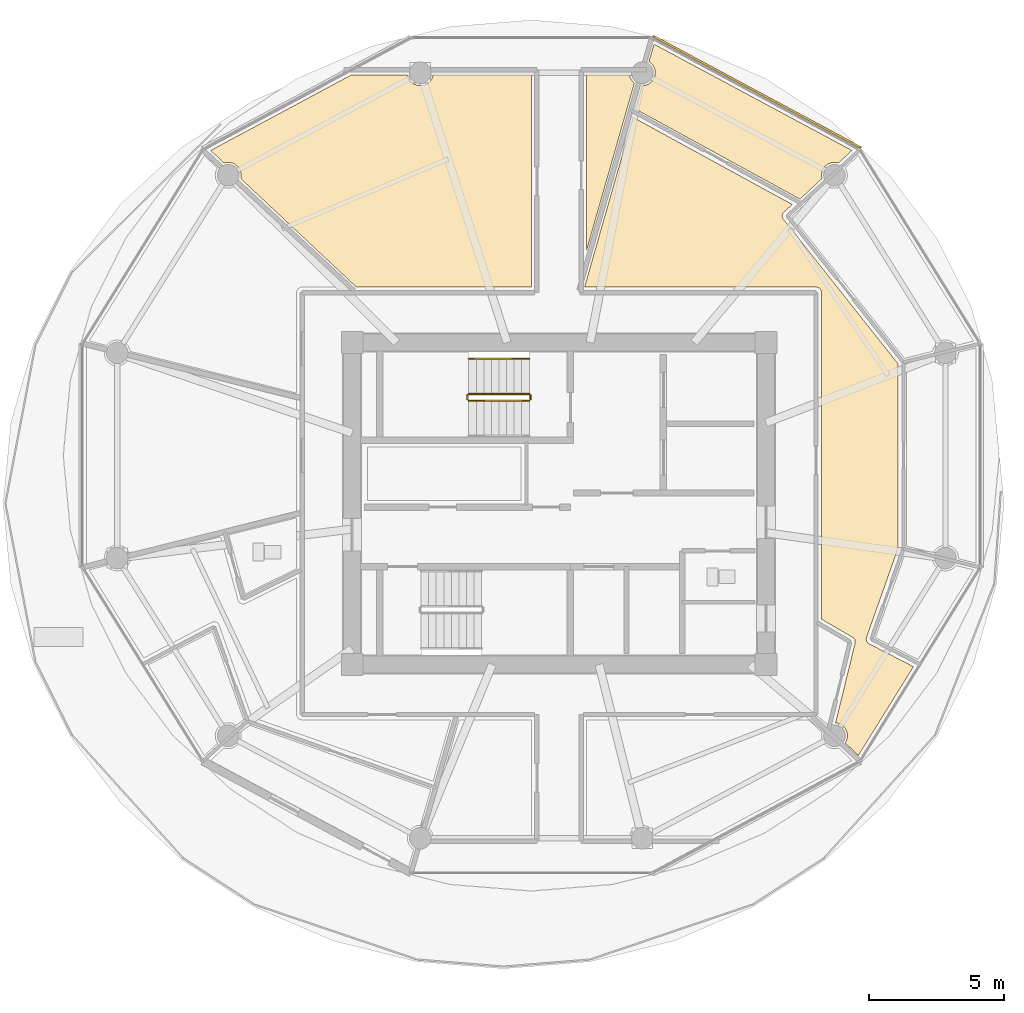
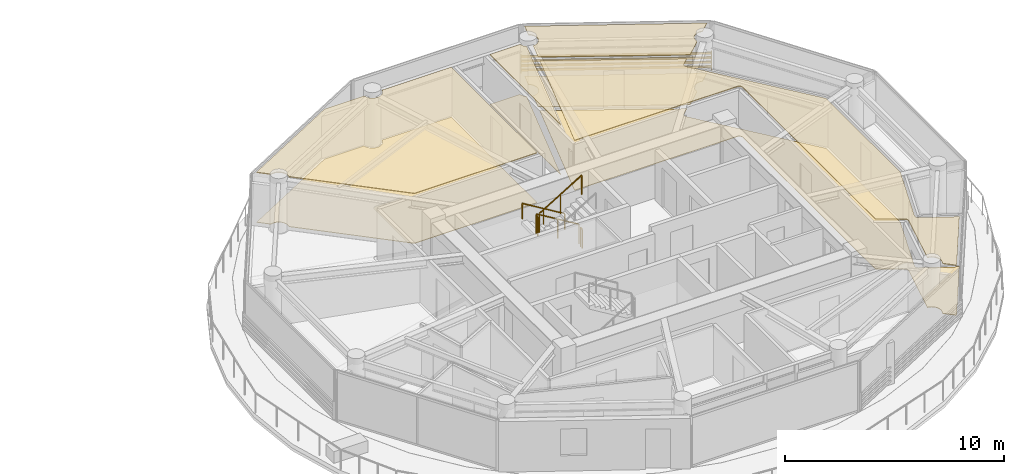
# One storey, part 25 of 28: 8 coverings, 5 railings, 1 shading device.
"""IFC4 building model written with IfcOpenShell, lengths in metres."""

import ifcopenshell
import ifcopenshell.guid

model = None  # the IFC model being written
_history = None  # IfcOwnerHistory: only IFC2X3 demands one
_inside = {}  # id of a spatial element -> (the spatial element, [elements in it])
_under = {}  # id of a project, library or spatial element -> (it, [spatial elements below it])
_declared = {}  # id of a project -> (the project, [libraries it declares])
_typed = {}  # id of a type object -> (the type object, [elements of that type])
_made_of = {}  # id of a material, layer set ... -> (it, [elements and type objects made of it])


def new_model(schema):
    """Start an empty IFC model of exactly this schema.

    Asked for "IFC4X3", IfcOpenShell would pick the latest addendum, in which some entities
    have other attributes; the version numbers below select the first issue.
    IFC2X3 requires an IfcOwnerHistory on every rooted entity: one is made here for all.
    """
    global model, _history
    if schema == "IFC4X3":
        model = ifcopenshell.file(schema_version=(4, 3, 0, 0))
    else:
        model = ifcopenshell.file(schema=schema)
    _inside.clear()
    _under.clear()
    _declared.clear()
    _typed.clear()
    _made_of.clear()
    _history = None
    if model.schema == "IFC2X3":
        org = make("IfcOrganization", Name="unknown")
        user = make(
            "IfcPersonAndOrganization",
            ThePerson=make("IfcPerson", FamilyName="unknown"),
            TheOrganization=org,
        )
        app = make(
            "IfcApplication",
            ApplicationDeveloper=org,
            Version="unknown",
            ApplicationFullName="unknown",
            ApplicationIdentifier="unknown",
        )
        _history = make(
            "IfcOwnerHistory",
            OwningUser=user,
            OwningApplication=app,
            ChangeAction="ADDED",
            CreationDate=0,
        )
    return model


def make(cls, **values):
    """One entity of the class cls with the attributes given. An attribute that is None is left unset."""
    return model.create_entity(
        cls, **{name: value for name, value in values.items() if value is not None}
    )


def rooted(cls, **values):
    """An entity with a GlobalId (a new one), such as an element, a storey or a relation."""
    return make(cls, GlobalId=ifcopenshell.guid.new(), OwnerHistory=_history, **values)


def si_unit(unit_type, name, prefix=None):
    """IfcSIUnit, for example si_unit("LENGTHUNIT", "METRE", prefix="MILLI")."""
    return make("IfcSIUnit", UnitType=unit_type, Prefix=prefix, Name=name)


def assignment(units):
    """IfcUnitAssignment: the units of a project."""
    return None if units is None else make("IfcUnitAssignment", Units=units)


def point(xyz):
    """IfcCartesianPoint."""
    return None if xyz is None else make("IfcCartesianPoint", Coordinates=xyz)


def direction(xyz):
    """IfcDirection."""
    return None if xyz is None else make("IfcDirection", DirectionRatios=xyz)


def frame(location, z_axis=None, x_axis=None):
    """IfcAxis2Placement3D, a coordinate frame: its origin and axes. An axis left out is left unset."""
    return make(
        "IfcAxis2Placement3D",
        Location=point(location),
        Axis=direction(z_axis),
        RefDirection=direction(x_axis),
    )


def frame_2d(location, x_axis=None):
    """IfcAxis2Placement2D, a coordinate frame in the plane: its origin and x axis."""
    return make(
        "IfcAxis2Placement2D", Location=point(location), RefDirection=direction(x_axis)
    )


def origin():
    """The frame at (0, 0, 0) with its axes left unset."""
    return frame((0.0, 0.0, 0.0))


def origin_2d():
    """The frame at (0, 0) in the plane with its x axis left unset."""
    return frame_2d((0.0, 0.0))


def place(relative_to, where):
    """IfcLocalPlacement: puts the frame where relative to a parent placement (None: the world)."""
    return make(
        "IfcLocalPlacement", PlacementRelTo=relative_to, RelativePlacement=where
    )


def context(
    kind, dimensions, precision=None, world=None, true_north=None, identifier=None
):
    """IfcGeometricRepresentationContext, for example the 3D "Model" context."""
    return make(
        "IfcGeometricRepresentationContext",
        ContextIdentifier=identifier,
        ContextType=kind,
        CoordinateSpaceDimension=dimensions,
        Precision=precision,
        WorldCoordinateSystem=world,
        TrueNorth=true_north,
    )


def subcontext(parent, identifier, kind, view, scale=None):
    """IfcGeometricRepresentationSubContext, for example "Body" below "Model"."""
    return make(
        "IfcGeometricRepresentationSubContext",
        ContextIdentifier=identifier,
        ContextType=kind,
        ParentContext=parent,
        TargetScale=scale,
        TargetView=view,
    )


def project(units=None, contexts=None):
    """IfcProject with its units and contexts."""
    return rooted(
        "IfcProject",
        Name="project",
        RepresentationContexts=contexts,
        UnitsInContext=assignment(units),
    )


def spatial(cls, under=None, at=None, **own):
    """A site, building, storey or space (cls), placed at a placement, below another one or the project."""
    s = rooted(cls, ObjectPlacement=at, **own)
    if under is not None:
        _under.setdefault(under.id(), (under, []))[1].append(s)
    return s


def polyline(points):
    """IfcPolyline through the points."""
    return make("IfcPolyline", Points=[point(p) for p in points])


def profile(cls, at=None, kind="AREA", **sizes):
    """A parametric profile (cls). Its sizes go by their IFC names, for example OverallWidth=200.0."""
    return make(cls, ProfileType=kind, Position=at, **sizes)


def rectangle(**sizes):
    """IfcRectangleProfileDef."""
    return profile("IfcRectangleProfileDef", **sizes)


def outline(outer, holes=None, kind="AREA"):
    """IfcArbitraryClosedProfileDef: a profile drawn as a closed curve; with holes, ...WithVoids."""
    if holes is None:
        return make("IfcArbitraryClosedProfileDef", ProfileType=kind, OuterCurve=outer)
    return make(
        "IfcArbitraryProfileDefWithVoids",
        ProfileType=kind,
        OuterCurve=outer,
        InnerCurves=holes,
    )


def extrude(swept, where, along, depth):
    """IfcExtrudedAreaSolid: the profile swept, set in the frame where, extruded along a direction by depth."""
    return make(
        "IfcExtrudedAreaSolid",
        SweptArea=swept,
        Position=where,
        ExtrudedDirection=direction(along),
        Depth=depth,
    )


def shape(context_of_items, identifier, shape_type, items):
    """IfcShapeRepresentation: the items that make up one representation, for example the "Body"."""
    return make(
        "IfcShapeRepresentation",
        ContextOfItems=context_of_items,
        RepresentationIdentifier=identifier,
        RepresentationType=shape_type,
        Items=items,
    )


def source(mapping_origin, context_of_items, identifier, shape_type, items):
    """IfcRepresentationMap: a shape defined once, which mapped items show again and again."""
    return make(
        "IfcRepresentationMap",
        MappingOrigin=mapping_origin,
        MappedRepresentation=shape(context_of_items, identifier, shape_type, items),
    )


def transform(
    local_origin,
    x_axis=None,
    y_axis=None,
    z_axis=None,
    scale=None,
    scale2=None,
    scale3=None,
    uniform=True,
):
    """IfcCartesianTransformationOperator3D, or its non-uniform kind. x_axis, y_axis, z_axis: its Axis1, 2, 3."""
    if uniform:
        return make(
            "IfcCartesianTransformationOperator3D",
            Axis1=direction(x_axis),
            Axis2=direction(y_axis),
            LocalOrigin=point(local_origin),
            Scale=scale,
            Axis3=direction(z_axis),
        )
    return make(
        "IfcCartesianTransformationOperator3DnonUniform",
        Axis1=direction(x_axis),
        Axis2=direction(y_axis),
        LocalOrigin=point(local_origin),
        Scale=scale,
        Axis3=direction(z_axis),
        Scale2=scale2,
        Scale3=scale3,
    )


def mapped(mapping_source, mapping_target):
    """IfcMappedItem: shows the shape of a source again, moved by a transform."""
    return make(
        "IfcMappedItem", MappingSource=mapping_source, MappingTarget=mapping_target
    )


def material(Name=None, Category=None):
    """IfcMaterial."""
    return make("IfcMaterial", Name=Name, Category=Category)


def layer(
    of_material, thickness, ventilated=None, Name=None, Category=None, Priority=None
):
    """IfcMaterialLayer: one layer of a wall or slab, of a material (None: an air gap)."""
    return make(
        "IfcMaterialLayer",
        Material=of_material,
        LayerThickness=thickness,
        IsVentilated=ventilated,
        Name=Name,
        Category=Category,
        Priority=Priority,
    )


def layer_set(layers, Name=None):
    """IfcMaterialLayerSet."""
    return make("IfcMaterialLayerSet", MaterialLayers=layers, LayerSetName=Name)


def made_of(thing, what):
    """Note that an element or type object is made of a material, layer set ...; save() writes the relation."""
    if what is not None:
        _made_of.setdefault(what.id(), (what, []))[1].append(thing)
    return thing


def type_object(cls, material=None, **own):
    """A type object (cls), such as IfcWallType, which elements share."""
    return made_of(rooted(cls, **own), material)


def type_shapes(of_type, sources):
    """Give a type object the sources (RepresentationMaps) that its elements show as mapped items."""
    of_type.RepresentationMaps = sources


def element(
    cls,
    number,
    at=None,
    inside=None,
    cuts=None,
    type_object=None,
    material=None,
    context=None,
    identifier="Body",
    shape_type=None,
    held_by="IfcProductDefinitionShape",
    body=None,
    shapes=None,
    **own,
):
    """One element of the class cls, such as IfcWall. Its Tag is "e" and its number.

    at: its placement. inside: the storey or other place that contains it. cuts: it is an
    opening in that element (IfcRelVoidsElement). A single representation is given by context,
    identifier, shape_type and body (its items); several are given by shapes. held_by: the class
    of the entity that holds the representations. save() writes the other relations.
    """
    e = rooted(cls, Tag="e%d" % number, ObjectPlacement=at, **own)
    if body is not None:
        shapes = [shape(context, identifier, shape_type, body)]
    if shapes is not None:
        e.Representation = make(held_by, Representations=shapes)
    if inside is not None:
        _inside.setdefault(inside.id(), (inside, []))[1].append(e)
    if cuts is not None:
        rooted(
            "IfcRelVoidsElement", RelatingBuildingElement=cuts, RelatedOpeningElement=e
        )
    if type_object is not None:
        _typed.setdefault(type_object.id(), (type_object, []))[1].append(e)
    return made_of(e, material)


def aggregate(whole, parts):
    """IfcRelAggregates: a whole, such as a stair, and the parts it consists of."""
    return rooted("IfcRelAggregates", RelatingObject=whole, RelatedObjects=parts)


def save(model, path):
    """Write the relations noted so far, then the file.

    IfcRelAggregates (storeys below a building ...), IfcRelContainedInSpatialStructure (elements
    in a storey), IfcRelDefinesByType, IfcRelAssociatesMaterial and IfcRelDeclares: one each for
    every whole, place, type object, material and project.
    """
    for whole, parts in _under.values():
        aggregate(whole, parts)
    for where, things in _inside.values():
        rooted(
            "IfcRelContainedInSpatialStructure",
            RelatedElements=things,
            RelatingStructure=where,
        )
    for kind, things in _typed.values():
        rooted("IfcRelDefinesByType", RelatedObjects=things, RelatingType=kind)
    for what, things in _made_of.values():
        rooted("IfcRelAssociatesMaterial", RelatedObjects=things, RelatingMaterial=what)
    for by, libraries in _declared.values():
        rooted("IfcRelDeclares", RelatingContext=by, RelatedDefinitions=libraries)
    model.write(path)


model = new_model("IFC4")

# Units and contexts
model_context = context("Model", 3, precision=1e-05, world=origin(), true_north=direction((0.0, 1.0)))
body_context = subcontext(model_context, "Body", "Model", "MODEL_VIEW")
ifc_project = project(units=[si_unit("LENGTHUNIT", "METRE"), si_unit("AREAUNIT", "SQUARE_METRE"), si_unit("VOLUMEUNIT", "CUBIC_METRE"), si_unit("PLANEANGLEUNIT", "RADIAN"), si_unit("MASSUNIT", "GRAM", prefix="KILO")], contexts=[model_context])

# Site, building, storey
site_placement = place(None, origin())
site = spatial("IfcSite", under=ifc_project, at=site_placement, CompositionType="ELEMENT")
building_placement = place(site_placement, origin())
building = spatial("IfcBuilding", under=site, at=building_placement, Name="Norrkilde Senior Care Towers", CompositionType="ELEMENT")
storey_placement = place(building_placement, frame((0.0, 0.0, 134.300048828125)))
storey = spatial("IfcBuildingStorey", under=building, at=storey_placement, Name="L41", CompositionType="ELEMENT", Elevation=134.300048828125)

# Coverings
ifc_material_1 = material(Name="Nordic Ash Timber", Category="wood")
ifc_layer_1 = layer(ifc_material_1, 0.044921875)
ifc_layer_set_1 = layer_set([ifc_layer_1], Name="Nordic Ash Timber")
covering_type_1 = type_object("IfcCoveringType", Name="Acoustic Ash Timber Slatted Ceiling 45", PredefinedType="CEILING", material=ifc_layer_set_1)
covering_1_placement = place(storey_placement, frame((0.0, 0.0, 2.764892578125)))
element("IfcCovering", 1, at=covering_1_placement, inside=storey, type_object=covering_type_1, Name="L41 Suspended Ceiling 0289", PredefinedType="CEILING", context=body_context, shape_type="SweptSolid", body=[
    extrude(outline(polyline([(22.4033203125, 15.845458984375), (22.4091796875, 15.802001953125), (22.45703125, 15.686279296875), (22.533203125, 15.586669921875), (22.6328125, 15.510498046875), (22.74853515625, 15.46240234375), (22.872802734375, 15.446044921875), (22.9970703125, 15.46240234375), (23.11279296875, 15.510498046875), (23.212158203125, 15.586669921875), (23.288330078125, 15.686279296875), (23.33642578125, 15.802001953125), (23.342041015625, 15.845458984375), (26.97998046875, 15.845458984375), (26.97998046875, 8.0), (20.509521484375, 8.0), (16.23095703125, 12.01025390625), (16.23095703125, 12.01025390625), (16.247314453125, 12.134521484375), (16.23095703125, 12.2587890625), (16.18310546875, 12.37451171875), (16.106689453125, 12.473876953125), (16.00732421875, 12.550048828125), (15.8916015625, 12.59814453125), (15.767333984375, 12.614501953125), (15.64306640625, 12.59814453125), (15.61572265625, 12.5869140625), (15.119384765625, 13.05224609375), (20.3212890625, 15.845458984375), (22.4033203125, 15.845458984375)])), origin(), (0.0, 0.0, 1.0), 0.045166015625),
])
covering_2_placement = place(storey_placement, frame((0.0, 0.0, 2.764892578125)))
element("IfcCovering", 2, at=covering_2_placement, inside=storey, type_object=covering_type_1, Name="L41 Suspended Ceiling 0290", PredefinedType="CEILING", context=body_context, shape_type="SweptSolid", body=[
    extrude(outline(polyline([(29.02001953125, 15.845458984375), (30.60791015625, 15.845458984375), (30.613525390625, 15.802001953125), (30.66162109375, 15.686279296875), (30.73779296875, 15.586669921875), (30.78759765625, 15.548583984375), (29.02001953125, 9.365478515625), (29.02001953125, 15.845458984375)])), origin(), (0.0, 0.0, 1.0), 0.045166015625),
])
covering_3_placement = place(storey_placement, frame((0.0, 0.0, 2.764892578125)))
element("IfcCovering", 3, at=covering_3_placement, inside=storey, type_object=covering_type_1, Name="L41 Suspended Ceiling 0299", PredefinedType="CEILING", context=body_context, shape_type="SweptSolid", body=[
    extrude(outline(polyline([(37.69482421875, 7.8447265625), (37.69287109375, 7.852294921875), (37.689453125, 7.86376953125), (37.68701171875, 7.87109375), (37.682373046875, 7.8818359375), (37.678955078125, 7.888916015625), (37.673583984375, 7.8994140625), (37.66943359375, 7.90625), (37.662841796875, 7.916015625), (37.658203125, 7.92236328125), (37.65087890625, 7.931396484375), (37.6455078125, 7.937255859375), (37.63720703125, 7.945556640625), (37.63134765625, 7.95068359375), (37.622314453125, 7.958251953125), (37.615966796875, 7.962890625), (37.606201171875, 7.969482421875), (37.599365234375, 7.973388671875), (37.589111328125, 7.97900390625), (37.58203125, 7.982421875), (37.571044921875, 7.98681640625), (37.563720703125, 7.989501953125), (37.552490234375, 7.992919921875), (37.544677734375, 7.994873046875), (37.533203125, 7.9970703125), (37.525390625, 7.998291015625), (37.513671875, 7.99951171875), (37.505859375, 7.999755859375), (37.5, 8.0), (28.941650390625, 8.0), (30.736083984375, 14.277099609375), (36.62255859375, 11.054443359375), (36.313232421875, 10.7724609375), (36.308837890625, 10.768310546875), (36.303955078125, 10.763427734375), (36.2958984375, 10.75439453125), (36.29150390625, 10.7490234375), (36.284423828125, 10.7392578125), (36.280517578125, 10.7333984375), (36.2744140625, 10.72314453125), (36.271240234375, 10.716796875), (36.26611328125, 10.7060546875), (36.263427734375, 10.699462890625), (36.259521484375, 10.68798828125), (36.257568359375, 10.681396484375), (36.2548828125, 10.669677734375), (36.253662109375, 10.662841796875), (36.252197265625, 10.65087890625), (36.25146484375, 10.643798828125), (36.251220703125, 10.6318359375), (36.251220703125, 10.624755859375), (36.252197265625, 10.61279296875), (36.2529296875, 10.60595703125), (36.2548828125, 10.593994140625), (36.256591796875, 10.587158203125), (36.259765625, 10.57568359375), (36.261962890625, 10.569091796875), (36.266357421875, 10.557861328125), (36.26904296875, 10.551513671875), (36.274658203125, 10.540771484375), (36.278076171875, 10.53466796875), (36.284423828125, 10.5244140625), (36.28857421875, 10.518798828125), (36.292236328125, 10.513916015625), (40.540283203125, 5.155517578125), (40.540283203125, -1.63623046875), (39.36767578125, -4.952392578125), (39.365966796875, -4.957763671875), (39.364013671875, -4.964111328125), (39.361083984375, -4.975341796875), (39.35986328125, -4.98193359375), (39.358154296875, -4.9931640625), (39.357421875, -5.0), (39.35693359375, -5.011474609375), (39.35693359375, -5.01806640625), (39.357421875, -5.029541015625), (39.35791015625, -5.0361328125), (39.359619140625, -5.047607421875), (39.36083984375, -5.05419921875), (39.363525390625, -5.065185546875), (39.365234375, -5.07177734375), (39.368896484375, -5.08251953125), (39.37158203125, -5.0888671875), (39.376220703125, -5.099365234375), (39.379150390625, -5.105224609375), (39.385009765625, -5.115234375), (39.388671875, -5.120849609375), (39.395263671875, -5.130126953125), (39.3994140625, -5.135498046875), (39.40673828125, -5.14404296875), (39.411376953125, -5.14892578125), (39.419677734375, -5.156982421875), (39.4248046875, -5.161376953125), (39.433837890625, -5.16845703125), (39.439208984375, -5.17236328125), (39.448974609375, -5.178466796875), (39.45458984375, -5.181884765625), (39.459716796875, -5.1845703125), (41.10400390625, -6.0322265625), (39.067626953125, -9.312255859375), (38.57666015625, -8.85205078125), (38.598388671875, -8.82373046875), (38.646240234375, -8.7080078125), (38.66259765625, -8.583740234375), (38.646240234375, -8.45947265625), (38.598388671875, -8.34375), (38.52197265625, -8.244384765625), (38.422607421875, -8.16796875), (38.306884765625, -8.1201171875), (38.221923828125, -8.10888671875), (38.944580078125, -5.159912109375), (38.94580078125, -5.154052734375), (38.947265625, -5.1474609375), (38.94873046875, -5.1357421875), (38.949462890625, -5.128662109375), (38.949951171875, -5.116943359375), (38.949951171875, -5.110107421875), (38.94921875, -5.09814453125), (38.948486328125, -5.09130859375), (38.94677734375, -5.07958984375), (38.9453125, -5.072998046875), (38.9423828125, -5.0615234375), (38.9404296875, -5.054931640625), (38.936279296875, -5.043701171875), (38.93359375, -5.037353515625), (38.928466796875, -5.02685546875), (38.925048828125, -5.020751953125), (38.9189453125, -5.0107421875), (38.9150390625, -5.0048828125), (38.907958984375, -4.995361328125), (38.903564453125, -4.990234375), (38.8955078125, -4.9814453125), (38.890625, -4.9765625), (38.8818359375, -4.96875), (38.87646484375, -4.964599609375), (38.86669921875, -4.95751953125), (38.861083984375, -4.953857421875), (38.85595703125, -4.95068359375), (37.699951171875, -4.27490234375), (37.699951171875, 7.800048828125), (37.699951171875, 7.805908203125), (37.699462890625, 7.813720703125), (37.6982421875, 7.825439453125), (37.697265625, 7.833251953125), (37.69482421875, 7.8447265625)])), origin(), (0.0, 0.0, 1.0), 0.045166015625),
])
covering_4_placement = place(storey_placement, frame((0.0, 0.0, 2.764892578125)))
element("IfcCovering", 4, at=covering_4_placement, inside=storey, type_object=covering_type_1, Name="L41 Suspended Ceiling 0303", PredefinedType="CEILING", context=body_context, shape_type="SweptSolid", body=[
    extrude(outline(polyline([(38.334228515625, 12.5869140625), (38.306884765625, 12.59814453125), (38.1826171875, 12.614501953125), (38.058349609375, 12.59814453125), (37.942626953125, 12.550048828125), (37.84326171875, 12.473876953125), (37.766845703125, 12.37451171875), (37.718994140625, 12.2587890625), (37.70263671875, 12.134521484375), (37.718994140625, 12.01025390625), (37.718994140625, 12.01025390625), (36.908935546875, 11.2509765625), (30.823486328125, 14.58251953125), (31.070556640625, 15.447021484375), (31.077392578125, 15.446044921875), (31.201416015625, 15.46240234375), (31.3173828125, 15.510498046875), (31.416748046875, 15.586669921875), (31.492919921875, 15.686279296875), (31.541015625, 15.802001953125), (31.557373046875, 15.92626953125), (31.541015625, 16.05029296875), (31.492919921875, 16.166259765625), (31.416748046875, 16.265625), (31.32470703125, 16.336181640625), (31.509765625, 16.983154296875), (38.830810546875, 13.05224609375), (38.334228515625, 12.5869140625)])), origin(), (0.0, 0.0, 1.0), 0.045166015625),
])
ifc_material_2 = material(Name="Slip-Resistant Porcelain Stone", Category="masonry")
ifc_layer_2 = layer(ifc_material_2, 0.02490234375)
ifc_layer_set_2 = layer_set([ifc_layer_2], Name="Slip-Resistant Porcelain Stone")
covering_type_2 = type_object("IfcCoveringType", Name="Slip-Resistant Porcelain Flooring 25", PredefinedType="FLOORING", material=ifc_layer_set_2)
covering_5_placement = place(storey_placement, origin())
element("IfcCovering", 5, at=covering_5_placement, inside=storey, type_object=covering_type_2, Name="L41 Floor Finish 0289", PredefinedType="FLOORING", context=body_context, shape_type="SweptSolid", body=[
    extrude(outline(polyline([(22.4033203125, 15.845458984375), (22.4091796875, 15.802001953125), (22.45703125, 15.686279296875), (22.533203125, 15.586669921875), (22.6328125, 15.510498046875), (22.74853515625, 15.46240234375), (22.872802734375, 15.446044921875), (22.9970703125, 15.46240234375), (23.11279296875, 15.510498046875), (23.212158203125, 15.586669921875), (23.288330078125, 15.686279296875), (23.33642578125, 15.802001953125), (23.342041015625, 15.845458984375), (26.97998046875, 15.845458984375), (26.97998046875, 8.0), (20.509521484375, 8.0), (16.23095703125, 12.01025390625), (16.23095703125, 12.01025390625), (16.247314453125, 12.134521484375), (16.23095703125, 12.2587890625), (16.18310546875, 12.37451171875), (16.106689453125, 12.473876953125), (16.00732421875, 12.550048828125), (15.8916015625, 12.59814453125), (15.767333984375, 12.614501953125), (15.64306640625, 12.59814453125), (15.61572265625, 12.5869140625), (15.119384765625, 13.05224609375), (20.3212890625, 15.845458984375), (22.4033203125, 15.845458984375)])), origin(), (0.0, 0.0, 1.0), 0.02490234375),
])
covering_6_placement = place(storey_placement, origin())
element("IfcCovering", 6, at=covering_6_placement, inside=storey, type_object=covering_type_2, Name="L41 Floor Finish 0290", PredefinedType="FLOORING", context=body_context, shape_type="SweptSolid", body=[
    extrude(outline(polyline([(29.02001953125, 15.845458984375), (30.60791015625, 15.845458984375), (30.613525390625, 15.802001953125), (30.66162109375, 15.686279296875), (30.73779296875, 15.586669921875), (30.78759765625, 15.548583984375), (29.02001953125, 9.365478515625), (29.02001953125, 15.845458984375)])), origin(), (0.0, 0.0, 1.0), 0.02490234375),
])
covering_7_placement = place(storey_placement, origin())
element("IfcCovering", 7, at=covering_7_placement, inside=storey, type_object=covering_type_2, Name="L41 Floor Finish 0299", PredefinedType="FLOORING", context=body_context, shape_type="SweptSolid", body=[
    extrude(outline(polyline([(37.69482421875, 7.8447265625), (37.69287109375, 7.852294921875), (37.689453125, 7.86376953125), (37.68701171875, 7.87109375), (37.682373046875, 7.8818359375), (37.678955078125, 7.888916015625), (37.673583984375, 7.8994140625), (37.66943359375, 7.90625), (37.662841796875, 7.916015625), (37.658203125, 7.92236328125), (37.65087890625, 7.931396484375), (37.6455078125, 7.937255859375), (37.63720703125, 7.945556640625), (37.63134765625, 7.95068359375), (37.622314453125, 7.958251953125), (37.615966796875, 7.962890625), (37.606201171875, 7.969482421875), (37.599365234375, 7.973388671875), (37.589111328125, 7.97900390625), (37.58203125, 7.982421875), (37.571044921875, 7.98681640625), (37.563720703125, 7.989501953125), (37.552490234375, 7.992919921875), (37.544677734375, 7.994873046875), (37.533203125, 7.9970703125), (37.525390625, 7.998291015625), (37.513671875, 7.99951171875), (37.505859375, 7.999755859375), (37.5, 8.0), (28.941650390625, 8.0), (30.736083984375, 14.277099609375), (36.62255859375, 11.054443359375), (36.313232421875, 10.7724609375), (36.308837890625, 10.768310546875), (36.303955078125, 10.763427734375), (36.2958984375, 10.75439453125), (36.29150390625, 10.7490234375), (36.284423828125, 10.7392578125), (36.280517578125, 10.7333984375), (36.2744140625, 10.72314453125), (36.271240234375, 10.716796875), (36.26611328125, 10.7060546875), (36.263427734375, 10.699462890625), (36.259521484375, 10.68798828125), (36.257568359375, 10.681396484375), (36.2548828125, 10.669677734375), (36.253662109375, 10.662841796875), (36.252197265625, 10.65087890625), (36.25146484375, 10.643798828125), (36.251220703125, 10.6318359375), (36.251220703125, 10.624755859375), (36.252197265625, 10.61279296875), (36.2529296875, 10.60595703125), (36.2548828125, 10.593994140625), (36.256591796875, 10.587158203125), (36.259765625, 10.57568359375), (36.261962890625, 10.569091796875), (36.266357421875, 10.557861328125), (36.26904296875, 10.551513671875), (36.274658203125, 10.540771484375), (36.278076171875, 10.53466796875), (36.284423828125, 10.5244140625), (36.28857421875, 10.518798828125), (36.292236328125, 10.513916015625), (40.540283203125, 5.155517578125), (40.540283203125, -1.63623046875), (39.36767578125, -4.952392578125), (39.365966796875, -4.957763671875), (39.364013671875, -4.964111328125), (39.361083984375, -4.975341796875), (39.35986328125, -4.98193359375), (39.358154296875, -4.9931640625), (39.357421875, -5.0), (39.35693359375, -5.011474609375), (39.35693359375, -5.01806640625), (39.357421875, -5.029541015625), (39.35791015625, -5.0361328125), (39.359619140625, -5.047607421875), (39.36083984375, -5.05419921875), (39.363525390625, -5.065185546875), (39.365234375, -5.07177734375), (39.368896484375, -5.08251953125), (39.37158203125, -5.0888671875), (39.376220703125, -5.099365234375), (39.379150390625, -5.105224609375), (39.385009765625, -5.115234375), (39.388671875, -5.120849609375), (39.395263671875, -5.130126953125), (39.3994140625, -5.135498046875), (39.40673828125, -5.14404296875), (39.411376953125, -5.14892578125), (39.419677734375, -5.156982421875), (39.4248046875, -5.161376953125), (39.433837890625, -5.16845703125), (39.439208984375, -5.17236328125), (39.448974609375, -5.178466796875), (39.45458984375, -5.181884765625), (39.459716796875, -5.1845703125), (41.10400390625, -6.0322265625), (39.067626953125, -9.312255859375), (38.57666015625, -8.85205078125), (38.598388671875, -8.82373046875), (38.646240234375, -8.7080078125), (38.66259765625, -8.583740234375), (38.646240234375, -8.45947265625), (38.598388671875, -8.34375), (38.52197265625, -8.244384765625), (38.422607421875, -8.16796875), (38.306884765625, -8.1201171875), (38.221923828125, -8.10888671875), (38.944580078125, -5.159912109375), (38.94580078125, -5.154052734375), (38.947265625, -5.1474609375), (38.94873046875, -5.1357421875), (38.949462890625, -5.128662109375), (38.949951171875, -5.116943359375), (38.949951171875, -5.110107421875), (38.94921875, -5.09814453125), (38.948486328125, -5.09130859375), (38.94677734375, -5.07958984375), (38.9453125, -5.072998046875), (38.9423828125, -5.0615234375), (38.9404296875, -5.054931640625), (38.936279296875, -5.043701171875), (38.93359375, -5.037353515625), (38.928466796875, -5.02685546875), (38.925048828125, -5.020751953125), (38.9189453125, -5.0107421875), (38.9150390625, -5.0048828125), (38.907958984375, -4.995361328125), (38.903564453125, -4.990234375), (38.8955078125, -4.9814453125), (38.890625, -4.9765625), (38.8818359375, -4.96875), (38.87646484375, -4.964599609375), (38.86669921875, -4.95751953125), (38.861083984375, -4.953857421875), (38.85595703125, -4.95068359375), (37.699951171875, -4.27490234375), (37.699951171875, 7.800048828125), (37.699951171875, 7.805908203125), (37.699462890625, 7.813720703125), (37.6982421875, 7.825439453125), (37.697265625, 7.833251953125), (37.69482421875, 7.8447265625)])), origin(), (0.0, 0.0, 1.0), 0.02490234375),
])
covering_8_placement = place(storey_placement, origin())
element("IfcCovering", 8, at=covering_8_placement, inside=storey, type_object=covering_type_2, Name="L41 Floor Finish 0303", PredefinedType="FLOORING", context=body_context, shape_type="SweptSolid", body=[
    extrude(outline(polyline([(38.334228515625, 12.5869140625), (38.306884765625, 12.59814453125), (38.1826171875, 12.614501953125), (38.058349609375, 12.59814453125), (37.942626953125, 12.550048828125), (37.84326171875, 12.473876953125), (37.766845703125, 12.37451171875), (37.718994140625, 12.2587890625), (37.70263671875, 12.134521484375), (37.718994140625, 12.01025390625), (37.718994140625, 12.01025390625), (36.908935546875, 11.2509765625), (30.823486328125, 14.58251953125), (31.070556640625, 15.447021484375), (31.077392578125, 15.446044921875), (31.201416015625, 15.46240234375), (31.3173828125, 15.510498046875), (31.416748046875, 15.586669921875), (31.492919921875, 15.686279296875), (31.541015625, 15.802001953125), (31.557373046875, 15.92626953125), (31.541015625, 16.05029296875), (31.492919921875, 16.166259765625), (31.416748046875, 16.265625), (31.32470703125, 16.336181640625), (31.509765625, 16.983154296875), (38.830810546875, 13.05224609375), (38.334228515625, 12.5869140625)])), origin(), (0.0, 0.0, 1.0), 0.02490234375),
])

# Railings
ifc_material_3 = material(Name="Stainless Steel", Category="steel")
railing_type_1 = type_object("IfcRailingType", Name="Stair and Terrace Guardrail 1100", PredefinedType="GUARDRAIL", material=ifc_material_3)
railing_1_placement = place(storey_placement, frame((26.89990234375, 4.050048828125, 0.16943359375)))
element("IfcRailing", 9, at=railing_1_placement, inside=storey, type_object=railing_type_1, Name="L41 ST-E1 stair guard 1", PredefinedType="GUARDRAIL", context=body_context, shape_type="SweptSolid", body=[
    extrude(rectangle(XDim=0.048095703125, YDim=0.048095703125, at=origin_2d()), frame((0.0, 0.0, 1.076171875), z_axis=(-0.855553338991, 0.0, 0.51771467445), x_axis=(0.0, -1.0, 0.0)), (0.0, 0.0, 1.0), 2.6181640625),
    extrude(rectangle(XDim=0.0419921875, YDim=0.0419921875, at=origin_2d()), origin(), (0.0, 0.0, 1.0), 1.050048828125),
    extrude(rectangle(XDim=0.0419921875, YDim=0.0419921875, at=origin_2d()), frame((-1.1201171875, 0.0, 0.677734375)), (0.0, 0.0, 1.0), 1.050048828125),
    extrude(rectangle(XDim=0.0419921875, YDim=0.0419921875, at=origin_2d()), frame((-2.239990234375, 0.0, 1.35546875)), (0.0, 0.0, 1.0), 1.050048828125),
])
railing_2_placement = place(storey_placement, frame((24.610107421875, 4.0, 1.52490234375)))
element("IfcRailing", 10, at=railing_2_placement, inside=storey, type_object=railing_type_1, Name="L41 ST-E1 stair guard 2", PredefinedType="GUARDRAIL", context=body_context, shape_type="SweptSolid", body=[
    extrude(rectangle(XDim=0.048095703125, YDim=0.048095703125, at=origin_2d()), frame((0.0, 0.0, 1.076171875), z_axis=(0.0, -1.0, 0.0), x_axis=(1.0, 0.0, 0.0)), (0.0, 0.0, 1.0), 0.14990234375),
    extrude(rectangle(XDim=0.0419921875, YDim=0.0419921875, at=origin_2d()), origin(), (0.0, 0.0, 1.0), 1.050048828125),
    extrude(rectangle(XDim=0.0419921875, YDim=0.0419921875, at=origin_2d()), frame((0.0, -0.14990234375, 0.0)), (0.0, 0.0, 1.0), 1.050048828125),
])
railing_3_placement = place(storey_placement, frame((24.659912109375, 3.800048828125, 1.6943359375)))
element("IfcRailing", 11, at=railing_3_placement, inside=storey, type_object=railing_type_1, Name="L41 ST-E1 stair guard 3", PredefinedType="GUARDRAIL", context=body_context, shape_type="SweptSolid", body=[
    extrude(rectangle(XDim=0.048095703125, YDim=0.048095703125, at=origin_2d()), frame((0.0, 0.0, 1.076171875), z_axis=(0.855512035549, 0.0, 0.517782924622), x_axis=(0.0, 1.0, 0.0)), (0.0, 0.0, 1.0), 2.618408203125),
    extrude(rectangle(XDim=0.0419921875, YDim=0.0419921875, at=origin_2d()), origin(), (0.0, 0.0, 1.0), 1.050048828125),
    extrude(rectangle(XDim=0.0419921875, YDim=0.0419921875, at=origin_2d()), frame((1.1201171875, 0.0, 0.677734375)), (0.0, 0.0, 1.0), 1.050048828125),
    extrude(rectangle(XDim=0.0419921875, YDim=0.0419921875, at=origin_2d()), frame((2.239990234375, 0.0, 1.355712890625)), (0.0, 0.0, 1.0), 1.050048828125),
])
railing_4_placement = place(storey_placement, frame((26.949951171875, 4.0, 0.0)))
element("IfcRailing", 12, at=railing_4_placement, inside=storey, type_object=railing_type_1, Name="L41 ST-E1 stair guard 4", PredefinedType="GUARDRAIL", context=body_context, shape_type="SweptSolid", body=[
    extrude(rectangle(XDim=0.048095703125, YDim=0.048095703125, at=origin_2d()), frame((0.0, 0.0, 1.076171875), z_axis=(0.0, -1.0, 0.0), x_axis=(1.0, 0.0, 0.0)), (0.0, 0.0, 1.0), 0.14990234375),
    extrude(rectangle(XDim=0.0419921875, YDim=0.0419921875, at=origin_2d()), origin(), (0.0, 0.0, 1.0), 1.050048828125),
    extrude(rectangle(XDim=0.0419921875, YDim=0.0419921875, at=origin_2d()), frame((0.0, -0.14990234375, 0.0)), (0.0, 0.0, 1.0), 1.050048828125),
])
railing_type_2 = type_object("IfcRailingType", Name="Wall and Stair Handrail 900", PredefinedType="HANDRAIL", material=ifc_material_1)
railing_5_placement = place(storey_placement, frame((26.89990234375, 5.35009765625, 0.16943359375)))
element("IfcRailing", 13, at=railing_5_placement, inside=storey, type_object=railing_type_2, Name="L41 ST-E1 stair handrail 1", PredefinedType="HANDRAIL", context=body_context, shape_type="SweptSolid", body=[
    extrude(rectangle(XDim=0.048095703125, YDim=0.048095703125, at=origin_2d()), frame((0.0, 0.0, 0.8759765625), z_axis=(-0.855553338991, 0.0, 0.51771467445), x_axis=(0.0, -1.0, 0.0)), (0.0, 0.0, 1.0), 2.6181640625),
    extrude(rectangle(XDim=0.0419921875, YDim=0.0419921875, at=origin_2d()), origin(), (0.0, 0.0, 1.0), 0.849853515625),
    extrude(rectangle(XDim=0.0419921875, YDim=0.0419921875, at=origin_2d()), frame((-1.1201171875, 0.0, 0.677734375)), (0.0, 0.0, 1.0), 0.849853515625),
    extrude(rectangle(XDim=0.0419921875, YDim=0.0419921875, at=origin_2d()), frame((-2.239990234375, 0.0, 1.35546875)), (0.0, 0.0, 1.0), 0.849853515625),
])

# Shading device
ifc_material_4 = material(Name="Architectural Terracotta", Category="masonry")
shading_device_type = type_object("IfcShadingDeviceType", Name="Horizontal Terracotta Baguette Rack", PredefinedType="USERDEFINED", material=ifc_material_4)
shared_shape = source(origin(), body_context, "Body", "SweptSolid", [
    extrude(rectangle(XDim=0.070068359375, YDim=0.110107421875, at=origin_2d()), frame((0.0, 0.090087890625, 0.125), z_axis=(1.0, 0.0, 0.0), x_axis=(0.0, 1.0, 0.0)), (0.0, 0.0, 1.0), 8.74169921875),
    extrude(rectangle(XDim=0.070068359375, YDim=0.110107421875, at=origin_2d()), frame((0.0, 0.090087890625, 0.375), z_axis=(1.0, 0.0, 0.0), x_axis=(0.0, 1.0, 0.0)), (0.0, 0.0, 1.0), 8.74169921875),
    extrude(rectangle(XDim=0.070068359375, YDim=0.110107421875, at=origin_2d()), frame((0.0, 0.090087890625, 0.625), z_axis=(1.0, 0.0, 0.0), x_axis=(0.0, 1.0, 0.0)), (0.0, 0.0, 1.0), 8.74169921875),
    extrude(rectangle(XDim=0.070068359375, YDim=0.110107421875, at=origin_2d()), frame((0.0, 0.090087890625, 0.875), z_axis=(1.0, 0.0, 0.0), x_axis=(0.0, 1.0, 0.0)), (0.0, 0.0, 1.0), 8.74169921875),
    extrude(rectangle(XDim=0.050048828125, YDim=0.1552734375, at=origin_2d()), frame((0.02490234375, 0.047607421875, 0.0)), (0.0, 0.0, 1.0), 1.0),
    extrude(rectangle(XDim=0.050048828125, YDim=0.1552734375, at=origin_2d()), frame((8.716796875, 0.047607421875, 0.0)), (0.0, 0.0, 1.0), 1.0),
])
type_shapes(shading_device_type, [shared_shape])
shading_device_placement = place(storey_placement, frame((31.421630859375, 17.2109375, 0.079833984375), z_axis=(0.0, 0.0, 1.0), x_axis=(0.880997598168, -0.47313299447, 0.0)))
element("IfcShadingDevice", 14, at=shading_device_placement, inside=storey, type_object=shading_device_type, Name="L41 Drum E Terracotta Baguette Screen 01", ObjectType="BAGUETTE", PredefinedType="USERDEFINED", context=body_context, shape_type="MappedRepresentation", body=[
    mapped(shared_shape, transform((0.0, 0.0, 0.0), x_axis=(1.0, 0.0, 0.0), y_axis=(0.0, 1.0, 0.0), z_axis=(0.0, 0.0, 1.0), scale=1.0)),
])

save(model, "model.ifc")
